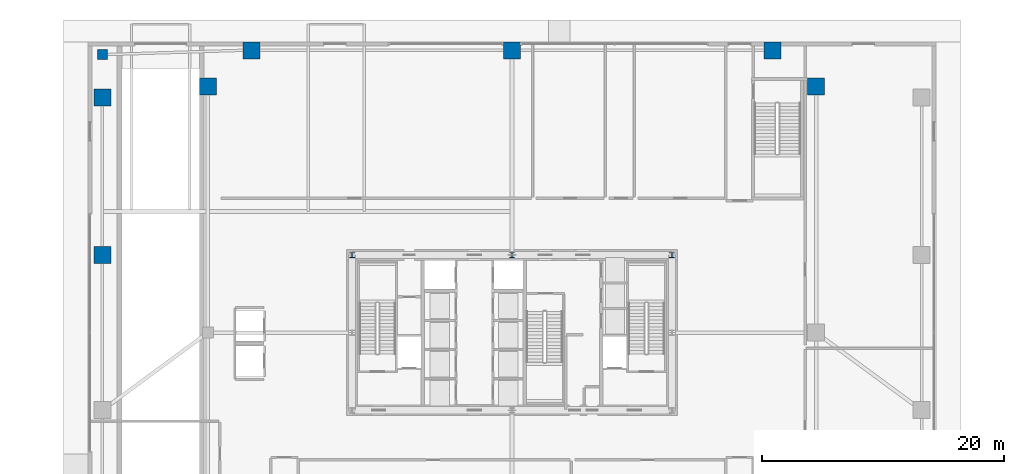
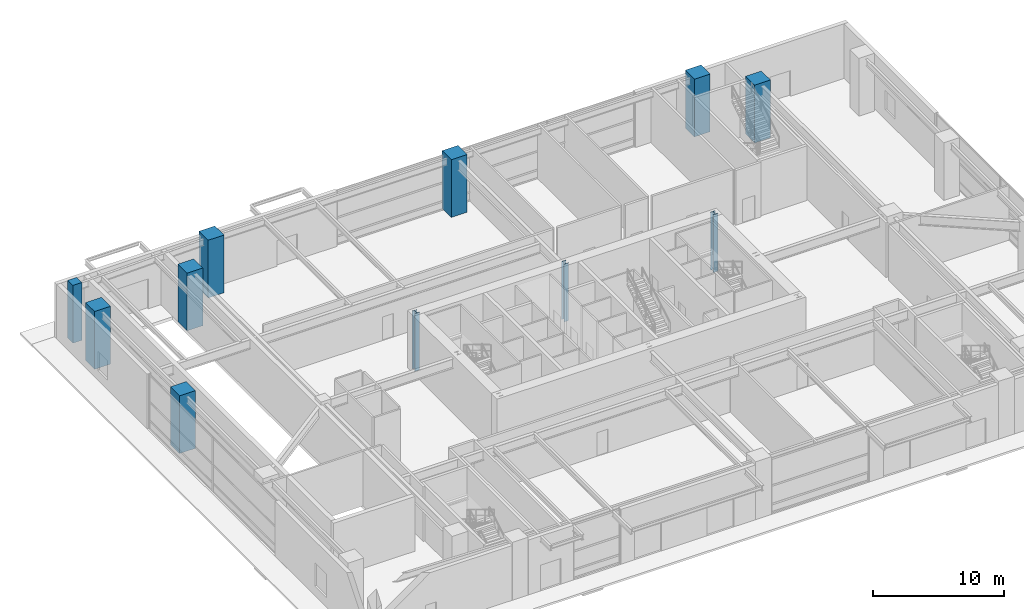
# One storey, part 2 of 32: 11 columns.
"""IFC4 building model written with IfcOpenShell, lengths in metres."""

from ifc_helpers import new_model, si_unit, direction, frame, origin, origin_2d, place, context, subcontext, project, spatial, rectangle, i_section, extrude, source, transform, mapped, material, material_profile, profile_set, type_object, element, save


model = new_model("IFC4")

# Units and contexts
model_context = context("Model", 3, precision=1e-05, world=origin(), true_north=direction((0.0, 1.0)))
body_context = subcontext(model_context, "Body", "Model", "MODEL_VIEW")
ifc_project = project(units=[si_unit("LENGTHUNIT", "METRE"), si_unit("AREAUNIT", "SQUARE_METRE"), si_unit("VOLUMEUNIT", "CUBIC_METRE"), si_unit("PLANEANGLEUNIT", "RADIAN"), si_unit("MASSUNIT", "GRAM", prefix="KILO"), si_unit("THERMODYNAMICTEMPERATUREUNIT", "KELVIN"), si_unit("POWERUNIT", "WATT")], contexts=[model_context])

# Site, building, storey
site_placement = place(None, origin())
site = spatial("IfcSite", under=ifc_project, at=site_placement, CompositionType="ELEMENT")
building_placement = place(site_placement, origin())
building = spatial("IfcBuilding", under=site, at=building_placement, Name="Yuzanri Waterfront Tower", CompositionType="ELEMENT")
storey_placement = place(building_placement, origin())
storey = spatial("IfcBuildingStorey", under=building, at=storey_placement, Name="L01", CompositionType="ELEMENT", Elevation=0.0)

# Columns
ifc_material_1 = material(Name="Steel Q355B", Category="steel")
ifc_material_profile_1 = material_profile(ifc_material_1, i_section(OverallWidth=0.406982421875, OverallDepth=0.427978515625, WebThickness=0.02001953125, FlangeThickness=0.034912109375, at=origin_2d()), Name="HW 428x407x20x35")
ifc_profile_set_1 = profile_set([ifc_material_profile_1], Name="Steel Q355B")
column_type_1 = type_object("IfcColumnType", Name="Core Post Q355B HW 428x407x20x35", PredefinedType="COLUMN", material=ifc_profile_set_1)
shared_shape_1 = source(origin(), body_context, "Body", "SweptSolid", [
    extrude(i_section(OverallWidth=0.406982421875, OverallDepth=0.427978515625, WebThickness=0.02001953125, FlangeThickness=0.034912109375, at=origin_2d()), origin(), (0.0, 0.0, 1.0), 5.39990234375),
])
for number, where, z_axis, x_axis, name in (
    (1, (23.800048828125, 32.199951171875, 0.0), (0.0, 0.0, 1.0), (1.0, 0.0, 0.0), "L01 Core Boundary Column CP6"),
    (2, (37.0, 32.199951171875, 0.0), (0.0, 0.0, 1.0), (1.0, 0.0, 0.0), "L01 Core Boundary Column CP7"),
    (3, (50.199951171875, 32.199951171875, 0.0), (0.0, 0.0, 1.0), (1.0, 0.0, 0.0), "L01 Core Boundary Column CP8"),
):
    element("IfcColumn", number, at=place(storey_placement, frame(where, z_axis=z_axis, x_axis=x_axis)), inside=storey, type_object=column_type_1, Name=name, PredefinedType="COLUMN", context=body_context, shape_type="MappedRepresentation", body=[
        mapped(shared_shape_1, transform((0.0, 0.0, 0.0), scale=1.0)),
    ])
ifc_material_2 = material(Name="Concrete C50", Category="concrete")
ifc_material_profile_2 = material_profile(ifc_material_2, rectangle(XDim=0.800048828125, YDim=0.800048828125, at=origin_2d()), Name="RC 800x800")
ifc_profile_set_2 = profile_set([ifc_material_profile_2], Name="Concrete C50")
column_type_2 = type_object("IfcColumnType", Name="Upper Podium RC Column C50 800x800", PredefinedType="COLUMN", material=ifc_profile_set_2)
shared_shape_2 = source(origin(), body_context, "Body", "SweptSolid", [
    extrude(rectangle(XDim=0.800048828125, YDim=0.800048828125, at=origin_2d()), origin(), (0.0, 0.0, 1.0), 5.39990234375),
])
column_placement = place(storey_placement, frame((3.199951171875, 48.75, 0.0), z_axis=(0.0, 0.0, 1.0), x_axis=(1.0, 0.0, 0.0)))
element("IfcColumn", 4, at=column_placement, inside=storey, type_object=column_type_2, Name="L01 Podium Corner Column CNPNW", PredefinedType="COLUMN", context=body_context, shape_type="MappedRepresentation", body=[
    mapped(shared_shape_2, transform((0.0, 0.0, 0.0), scale=1.0)),
])
ifc_material_3 = material(Name="Concrete C60", Category="concrete")
ifc_material_profile_3 = material_profile(ifc_material_3, rectangle(XDim=1.39990234375, YDim=1.39990234375, at=origin_2d()), Name="RC 1400x1400")
ifc_profile_set_3 = profile_set([ifc_material_profile_3], Name="Concrete C60")
column_type_3 = type_object("IfcColumnType", Name="Podium RC Column C60 1400x1400", PredefinedType="COLUMN", material=ifc_profile_set_3)
shared_shape_3 = source(origin(), body_context, "Body", "SweptSolid", [
    extrude(rectangle(XDim=1.39990234375, YDim=1.39990234375, at=origin_2d()), origin(), (0.0, 0.0, 1.0), 5.39990234375),
])
for number, where, z_axis, x_axis, name in (
    (5, (3.199951171875, 32.199951171875, 0.0), (0.0, 0.0, 1.0), (1.0, 0.0, 0.0), "L01 Podium Column PW3"),
    (6, (3.199951171875, 45.199951171875, 0.0), (0.0, 0.0, 1.0), (1.0, 0.0, 0.0), "L01 Podium Column PW4"),
    (7, (11.89990234375, 46.10009765625, 0.0), (0.0, 0.0, 1.0), (1.0, 0.0, 0.0), "L01 Podium Column PTW3"),
    (8, (62.10009765625, 46.10009765625, 0.0), (0.0, 0.0, 1.0), (1.0, 0.0, 0.0), "L01 Podium Column PTE3"),
    (9, (15.5, 49.10009765625, 0.0), (0.0, 0.0, 1.0), (1.0, 0.0, 0.0), "L01 Podium Column PTN1"),
    (10, (37.0, 49.10009765625, 0.0), (0.0, 0.0, 1.0), (1.0, 0.0, 0.0), "L01 Podium Column PTN2"),
    (11, (58.5, 49.10009765625, 0.0), (0.0, 0.0, 1.0), (1.0, 0.0, 0.0), "L01 Podium Column PTN3"),
):
    element("IfcColumn", number, at=place(storey_placement, frame(where, z_axis=z_axis, x_axis=x_axis)), inside=storey, type_object=column_type_3, Name=name, PredefinedType="COLUMN", context=body_context, shape_type="MappedRepresentation", body=[
        mapped(shared_shape_3, transform((0.0, 0.0, 0.0), scale=1.0)),
    ])

save(model, "model.ifc")
